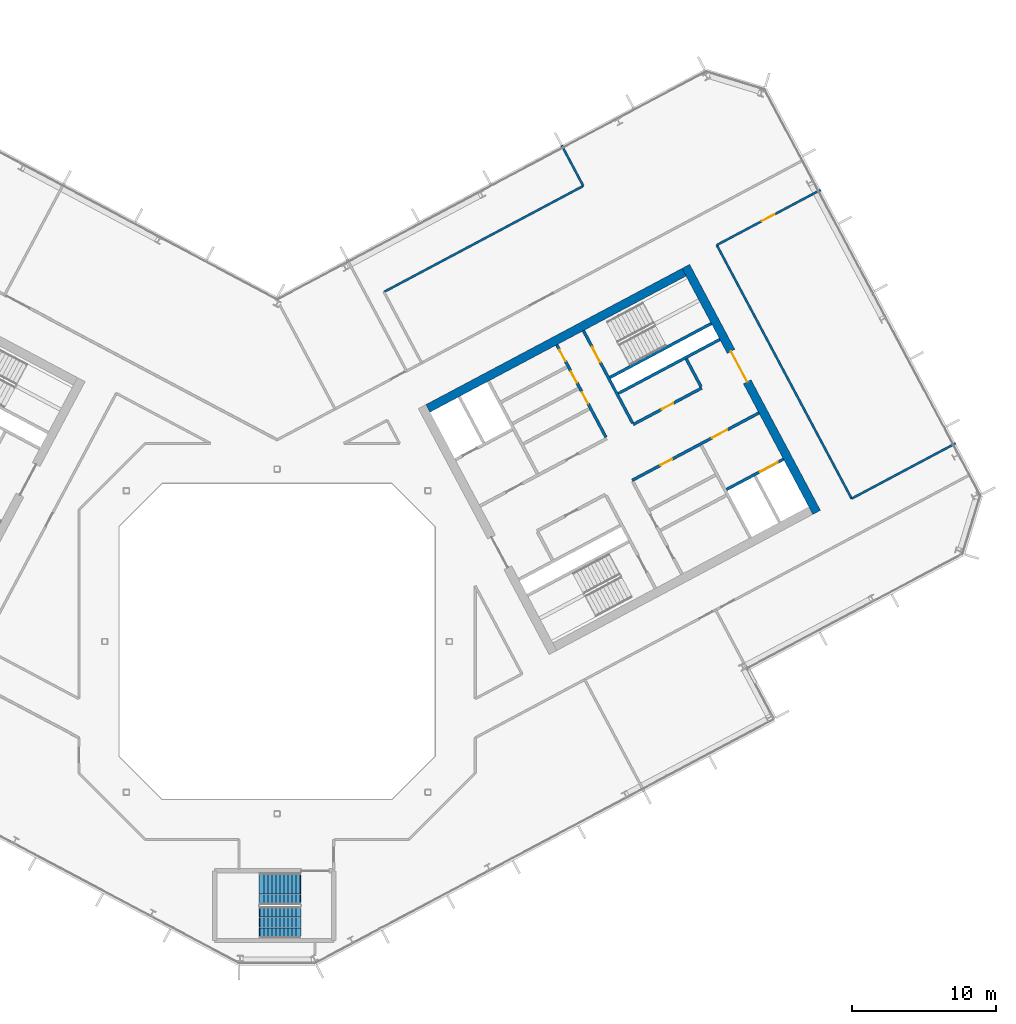
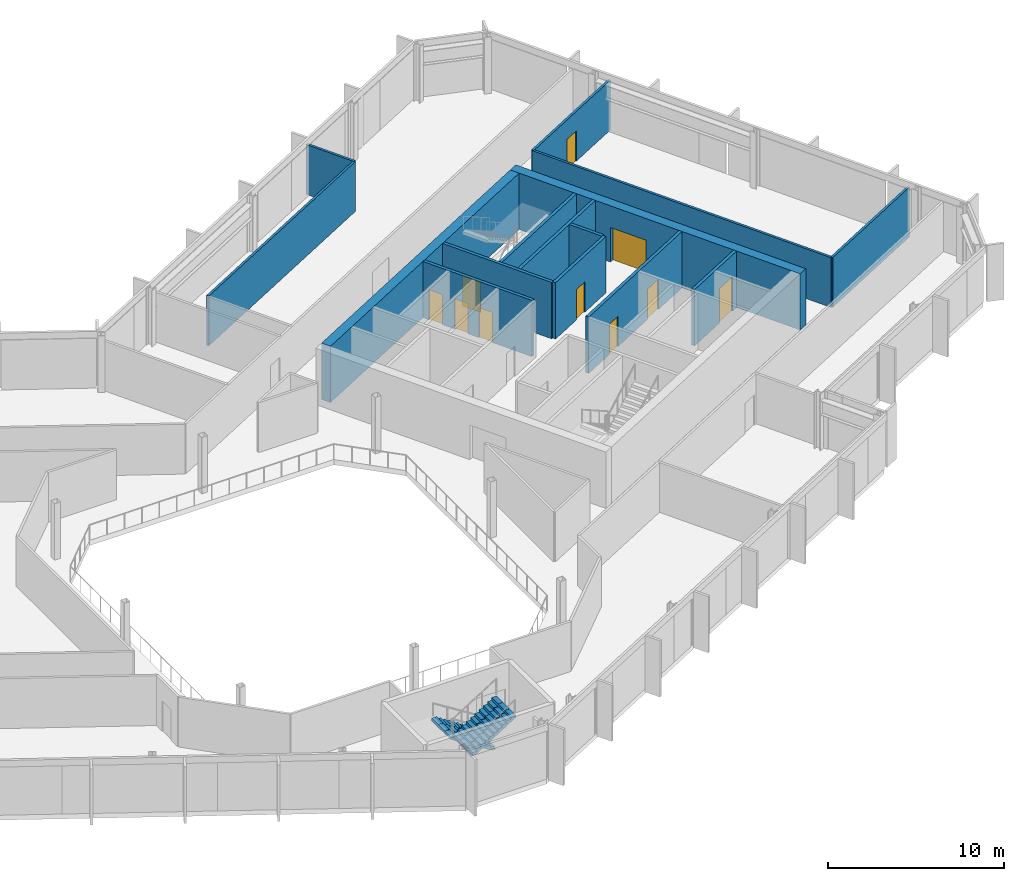
# One storey, part 16 of 26: 15 walls, 10 doors, 2 stair flights, 10 openings, 1 element without a shape of its own.
"""IFC4 building model written with IfcOpenShell, lengths in metres."""

from ifc_helpers import new_model, si_unit, direction, frame, frame_2d, origin, place, context, subcontext, project, spatial, polyline, rectangle, outline, extrude, material, layer, layer_set, type_object, element, fill, aggregate, save


model = new_model("IFC4")

# Units and contexts
model_context = context("Model", 3, precision=1e-05, world=origin(), true_north=direction((0.0, 1.0)))
body_context = subcontext(model_context, "Body", "Model", "MODEL_VIEW")
ifc_project = project(units=[si_unit("LENGTHUNIT", "METRE"), si_unit("AREAUNIT", "SQUARE_METRE"), si_unit("VOLUMEUNIT", "CUBIC_METRE"), si_unit("PLANEANGLEUNIT", "RADIAN"), si_unit("MASSUNIT", "GRAM", prefix="KILO")], contexts=[model_context])

# Site, building, storey
site_placement = place(None, origin())
site = spatial("IfcSite", under=ifc_project, at=site_placement, CompositionType="ELEMENT")
building_placement = place(site_placement, origin())
building = spatial("IfcBuilding", under=site, at=building_placement, Name="Cormorant Relay Tower", CompositionType="ELEMENT")
storey_placement = place(building_placement, frame((0.0, 0.0, 248.10009765625)))
storey = spatial("IfcBuildingStorey", under=building, at=storey_placement, Name="L55", CompositionType="ELEMENT", Elevation=248.10009765625)

# Wall, openings, doors
ifc_material_1 = material(Name="Concrete 50 MPa", Category="concrete")
ifc_layer_1 = layer(ifc_material_1, 0.199951171875)
ifc_layer_set_1 = layer_set([ifc_layer_1], Name="Core shaft wall 200")
wall_type_1 = type_object("IfcWallType", Name="Core shaft wall 200", PredefinedType="SHEAR", material=ifc_layer_set_1)
wall_1_placement = place(storey_placement, frame((22.90625, 14.218017578125, 0.0), z_axis=(0.0, 0.0, 1.0), x_axis=(-0.469480409012, 0.88294288918, 0.0)))
wall_1 = element("IfcWall", 1, at=wall_1_placement, inside=storey, type_object=wall_type_1, Name="L55 core B shaft wall", PredefinedType="SHEAR", context=body_context, shape_type="SweptSolid", body=[
    extrude(rectangle(XDim=7.300048828125, YDim=0.199951171875, at=frame_2d((3.64990234375, 0.0))), origin(), (0.0, 0.0, 1.0), 3.89990234375),
])
opening_1_placement = place(wall_1_placement, frame((2.64990234375, 0.0, 0.0)))
opening_1 = element("IfcOpeningElement", 2, at=opening_1_placement, cuts=wall_1, Name="Opening CDD-304", PredefinedType="OPENING", context=body_context, shape_type="SweptSolid", body=[
    extrude(rectangle(XDim=0.89990234375, YDim=2.10009765625, at=frame_2d((0.449951171875, 1.050048828125))), frame((0.0, 0.10986328125, 0.0), z_axis=(0.0, -1.0, 0.0), x_axis=(1.0, 0.0, 0.0)), (0.0, 0.0, 1.0), 0.219970703125),
])
opening_2_placement = place(wall_1_placement, frame((4.300048828125, 0.0, 0.0)))
opening_2 = element("IfcOpeningElement", 3, at=opening_2_placement, cuts=wall_1, Name="Opening CDD-305", PredefinedType="OPENING", context=body_context, shape_type="SweptSolid", body=[
    extrude(rectangle(XDim=0.89990234375, YDim=2.10009765625, at=frame_2d((0.449951171875, 1.050048828125))), frame((0.0, 0.10986328125, 0.0), z_axis=(0.0, -1.0, 0.0), x_axis=(1.0, 0.0, 0.0)), (0.0, 0.0, 1.0), 0.219970703125),
])
opening_3_placement = place(wall_1_placement, frame((6.0, 0.0, 0.0)))
opening_3 = element("IfcOpeningElement", 4, at=opening_3_placement, cuts=wall_1, Name="Opening CDD-306", PredefinedType="OPENING", context=body_context, shape_type="SweptSolid", body=[
    extrude(rectangle(XDim=0.89990234375, YDim=2.10009765625, at=frame_2d((0.449951171875, 1.050048828125))), frame((0.0, 0.10986328125, 0.0), z_axis=(0.0, -1.0, 0.0), x_axis=(1.0, 0.0, 0.0)), (0.0, 0.0, 1.0), 0.219970703125),
])
ifc_material_2 = material(Name="Steel fire door", Category="steel")
door_type_1 = type_object("IfcDoorType", Name="Core room door 900x2100", OperationType="SINGLE_SWING_LEFT", PredefinedType="DOOR", material=ifc_material_2)
door_1_placement = place(opening_1_placement, origin())
door_1 = element("IfcDoor", 5, at=door_1_placement, inside=storey, type_object=door_type_1, Name="Core room door 900x2100", OperationType="SINGLE_SWING_RIGHT", OverallHeight=2.10009765625, OverallWidth=0.89990234375, PredefinedType="DOOR", context=body_context, shape_type="SweptSolid", body=[
    extrude(rectangle(XDim=0.89990234375, YDim=2.10009765625, at=frame_2d((0.449951171875, 1.050048828125))), frame((0.0, 0.02490234375, 0.0), z_axis=(0.0, -1.0, 0.0), x_axis=(1.0, 0.0, 0.0)), (0.0, 0.0, 1.0), 0.050048828125),
])
fill(opening_1, door_1)
door_2_placement = place(opening_2_placement, origin())
door_2 = element("IfcDoor", 6, at=door_2_placement, inside=storey, type_object=door_type_1, Name="Core room door 900x2100", OperationType="SINGLE_SWING_LEFT", OverallHeight=2.10009765625, OverallWidth=0.89990234375, PredefinedType="DOOR", context=body_context, shape_type="SweptSolid", body=[
    extrude(rectangle(XDim=0.89990234375, YDim=2.10009765625, at=frame_2d((0.449951171875, 1.050048828125))), frame((0.0, 0.02490234375, 0.0), z_axis=(0.0, -1.0, 0.0), x_axis=(1.0, 0.0, 0.0)), (0.0, 0.0, 1.0), 0.050048828125),
])
fill(opening_2, door_2)
door_3_placement = place(opening_3_placement, origin())
door_3 = element("IfcDoor", 7, at=door_3_placement, inside=storey, type_object=door_type_1, Name="Core room door 900x2100", OperationType="SINGLE_SWING_LEFT", OverallHeight=2.10009765625, OverallWidth=0.89990234375, PredefinedType="DOOR", context=body_context, shape_type="SweptSolid", body=[
    extrude(rectangle(XDim=0.89990234375, YDim=2.10009765625, at=frame_2d((0.449951171875, 1.050048828125))), frame((0.0, 0.02490234375, 0.0), z_axis=(0.0, -1.0, 0.0), x_axis=(1.0, 0.0, 0.0)), (0.0, 0.0, 1.0), 0.050048828125),
])
fill(opening_3, door_3)

# Wall, opening, door
wall_2_placement = place(storey_placement, frame((24.760498046875, 15.2041015625, 0.0), z_axis=(0.0, 0.0, 1.0), x_axis=(-0.469494272526, 0.882935517501, 0.0)))
wall_2 = element("IfcWall", 8, at=wall_2_placement, inside=storey, type_object=wall_type_1, Name="L55 core B shaft wall", PredefinedType="SHEAR", context=body_context, shape_type="SweptSolid", body=[
    extrude(rectangle(XDim=7.2998046875, YDim=0.199951171875, at=frame_2d((3.64990234375, 0.0))), origin(), (0.0, 0.0, 1.0), 3.89990234375),
])
opening_4_placement = place(wall_2_placement, frame((4.800048828125, 0.0, 0.0)))
opening_4 = element("IfcOpeningElement", 9, at=opening_4_placement, cuts=wall_2, Name="Opening CDB-041", PredefinedType="OPENING", context=body_context, shape_type="SweptSolid", body=[
    extrude(rectangle(XDim=1.199951171875, YDim=2.10009765625, at=frame_2d((0.60009765625, 1.050048828125))), frame((0.0, 0.10986328125, 0.0), z_axis=(0.0, -1.0, 0.0), x_axis=(1.0, 0.0, 0.0)), (0.0, 0.0, 1.0), 0.219970703125),
])
ifc_material_3 = material(Name="Steel fire door", Category="steel")
door_type_2 = type_object("IfcDoorType", Name="Core stair door 1200x2100", OperationType="SINGLE_SWING_LEFT", PredefinedType="DOOR", material=ifc_material_3)
door_4_placement = place(opening_4_placement, frame((1.199951171875, 0.0, 0.0), z_axis=(0.0, 0.0, 1.0), x_axis=(-1.0, 0.0, 0.0)))
door_4 = element("IfcDoor", 10, at=door_4_placement, inside=storey, type_object=door_type_2, Name="Core stair door 1200x2100", OperationType="SINGLE_SWING_RIGHT", OverallHeight=2.10009765625, OverallWidth=1.199951171875, PredefinedType="DOOR", context=body_context, shape_type="SweptSolid", body=[
    extrude(rectangle(XDim=1.199951171875, YDim=2.10009765625, at=frame_2d((0.60009765625, 1.050048828125))), frame((0.0, 0.02490234375, 0.0), z_axis=(0.0, -1.0, 0.0), x_axis=(1.0, 0.0, 0.0)), (0.0, 0.0, 1.0), 0.050048828125),
])
fill(opening_4, door_4)

# Wall
wall_3_placement = place(storey_placement, frame((29.5283203125, 17.739013671875, 0.0), z_axis=(0.0, 0.0, 1.0), x_axis=(-0.469401318492, 0.882984938828, 0.0)))
element("IfcWall", 11, at=wall_3_placement, inside=storey, type_object=wall_type_1, Name="L55 core B shaft wall", PredefinedType="SHEAR", context=body_context, shape_type="SweptSolid", body=[
    extrude(rectangle(XDim=2.199951171875, YDim=0.199951171875, at=frame_2d((1.10009765625, 0.0))), origin(), (0.0, 0.0, 1.0), 3.89990234375),
])

# Wall, opening, door
wall_4_placement = place(storey_placement, frame((31.295654296875, 10.5810546875, 0.0), z_axis=(0.0, 0.0, 1.0), x_axis=(0.882960433586, 0.469447412093, 0.0)))
wall_4 = element("IfcWall", 12, at=wall_4_placement, inside=storey, type_object=wall_type_1, Name="L55 core B shaft wall", PredefinedType="SHEAR", context=body_context, shape_type="SweptSolid", body=[
    extrude(rectangle(XDim=4.5, YDim=0.199951171875, at=frame_2d((2.25, 0.0))), origin(), (0.0, 0.0, 1.0), 3.89990234375),
])
opening_5_placement = place(wall_4_placement, frame((2.64990234375, 0.0, 0.0)))
opening_5 = element("IfcOpeningElement", 13, at=opening_5_placement, cuts=wall_4, Name="Opening LD3-016", PredefinedType="OPENING", context=body_context, shape_type="SweptSolid", body=[
    extrude(rectangle(XDim=1.39990234375, YDim=2.39990234375, at=frame_2d((0.699951171875, 1.199951171875))), frame((0.0, 0.10986328125, 0.0), z_axis=(0.0, -1.0, 0.0), x_axis=(1.0, 0.0, 0.0)), (0.0, 0.0, 1.0), 0.219970703125),
])
ifc_material_4 = material(Name="Stainless steel 316", Category="steel")
door_type_3 = type_object("IfcDoorType", Name="Lift landing door 1400x2400", OperationType="DOUBLE_DOOR_SLIDING", PredefinedType="DOOR", material=ifc_material_4)
door_5_placement = place(opening_5_placement, origin())
door_5 = element("IfcDoor", 14, at=door_5_placement, inside=storey, type_object=door_type_3, Name="SV2 landing door", OperationType="DOUBLE_DOOR_SLIDING", OverallHeight=2.39990234375, OverallWidth=1.39990234375, PredefinedType="DOOR", context=body_context, shape_type="SweptSolid", body=[
    extrude(rectangle(XDim=1.39990234375, YDim=2.39990234375, at=frame_2d((0.699951171875, 1.199951171875))), frame((0.0, 0.02490234375, 0.0), z_axis=(0.0, -1.0, 0.0), x_axis=(1.0, 0.0, 0.0)), (0.0, 0.0, 1.0), 0.050048828125),
])
fill(opening_5, door_5)

# Wall, openings, doors
wall_5_placement = place(storey_placement, frame((24.72607421875, 11.2216796875, 0.0), z_axis=(0.0, 0.0, 1.0), x_axis=(0.882940221191, 0.469485426614, 0.0)))
wall_5 = element("IfcWall", 15, at=wall_5_placement, inside=storey, type_object=wall_type_1, Name="L55 core B shaft wall", PredefinedType="SHEAR", context=body_context, shape_type="SweptSolid", body=[
    extrude(rectangle(XDim=10.0, YDim=0.199951171875, at=frame_2d((5.0, 0.0))), origin(), (0.0, 0.0, 1.0), 3.89990234375),
])
opening_6_placement = place(wall_5_placement, frame((6.300048828125, 0.0, 0.0)))
opening_6 = element("IfcOpeningElement", 16, at=opening_6_placement, cuts=wall_5, Name="Opening CDC-038", PredefinedType="OPENING", context=body_context, shape_type="SweptSolid", body=[
    extrude(rectangle(XDim=1.199951171875, YDim=2.10009765625, at=frame_2d((0.60009765625, 1.050048828125))), frame((0.0, 0.10986328125, 0.0), z_axis=(0.0, -1.0, 0.0), x_axis=(1.0, 0.0, 0.0)), (0.0, 0.0, 1.0), 0.219970703125),
])
opening_7_placement = place(wall_5_placement, frame((2.25, 0.0, 0.0)))
opening_7 = element("IfcOpeningElement", 17, at=opening_7_placement, cuts=wall_5, Name="Opening CDD-263", PredefinedType="OPENING", context=body_context, shape_type="SweptSolid", body=[
    extrude(rectangle(XDim=0.89990234375, YDim=2.10009765625, at=frame_2d((0.449951171875, 1.050048828125))), frame((0.0, 0.10986328125, 0.0), z_axis=(0.0, -1.0, 0.0), x_axis=(1.0, 0.0, 0.0)), (0.0, 0.0, 1.0), 0.219970703125),
])
ifc_material_5 = material(Name="Steel fire door", Category="steel")
door_type_4 = type_object("IfcDoorType", Name="Core lobby door 1200x2100", OperationType="SINGLE_SWING_LEFT", PredefinedType="DOOR", material=ifc_material_5)
door_6_placement = place(opening_6_placement, origin())
door_6 = element("IfcDoor", 18, at=door_6_placement, inside=storey, type_object=door_type_4, Name="Core lobby door 1200x2100", OperationType="SINGLE_SWING_LEFT", OverallHeight=2.10009765625, OverallWidth=1.199951171875, PredefinedType="DOOR", context=body_context, shape_type="SweptSolid", body=[
    extrude(rectangle(XDim=1.199951171875, YDim=2.10009765625, at=frame_2d((0.60009765625, 1.050048828125))), frame((0.0, 0.02490234375, 0.0), z_axis=(0.0, -1.0, 0.0), x_axis=(1.0, 0.0, 0.0)), (0.0, 0.0, 1.0), 0.050048828125),
])
fill(opening_6, door_6)
door_7_placement = place(opening_7_placement, frame((0.89990234375, 0.0, 0.0), z_axis=(0.0, 0.0, 1.0), x_axis=(-1.0, 0.0, 0.0)))
door_7 = element("IfcDoor", 19, at=door_7_placement, inside=storey, type_object=door_type_1, Name="Core room door 900x2100", OperationType="SINGLE_SWING_RIGHT", OverallHeight=2.10009765625, OverallWidth=0.89990234375, PredefinedType="DOOR", context=body_context, shape_type="SweptSolid", body=[
    extrude(rectangle(XDim=0.89990234375, YDim=2.10009765625, at=frame_2d((0.449951171875, 1.050048828125))), frame((0.0, 0.02490234375, 0.0), z_axis=(0.0, -1.0, 0.0), x_axis=(1.0, 0.0, 0.0)), (0.0, 0.0, 1.0), 0.050048828125),
])
fill(opening_7, door_7)

# Wall, opening, door
wall_6_placement = place(storey_placement, frame((24.807373046875, 15.11572265625, 0.0), z_axis=(0.0, 0.0, 1.0), x_axis=(0.882942972946, 0.469480251476, 0.0)))
wall_6 = element("IfcWall", 20, at=wall_6_placement, inside=storey, type_object=wall_type_1, Name="L55 core B shaft wall", PredefinedType="SHEAR", context=body_context, shape_type="SweptSolid", body=[
    extrude(rectangle(XDim=5.39990234375, YDim=0.199951171875, at=frame_2d((2.699951171875, 0.0))), origin(), (0.0, 0.0, 1.0), 3.89990234375),
])
opening_8_placement = place(wall_6_placement, frame((2.25, 0.0, 0.0)))
opening_8 = element("IfcOpeningElement", 21, at=opening_8_placement, cuts=wall_6, Name="Opening CDD-261", PredefinedType="OPENING", context=body_context, shape_type="SweptSolid", body=[
    extrude(rectangle(XDim=0.89990234375, YDim=2.10009765625, at=frame_2d((0.449951171875, 1.050048828125))), frame((0.0, 0.10986328125, 0.0), z_axis=(0.0, -1.0, 0.0), x_axis=(1.0, 0.0, 0.0)), (0.0, 0.0, 1.0), 0.219970703125),
])
door_8_placement = place(opening_8_placement, origin())
door_8 = element("IfcDoor", 22, at=door_8_placement, inside=storey, type_object=door_type_1, Name="Core room door 900x2100", OperationType="SINGLE_SWING_LEFT", OverallHeight=2.10009765625, OverallWidth=0.89990234375, PredefinedType="DOOR", context=body_context, shape_type="SweptSolid", body=[
    extrude(rectangle(XDim=0.89990234375, YDim=2.10009765625, at=frame_2d((0.449951171875, 1.050048828125))), frame((0.0, 0.02490234375, 0.0), z_axis=(0.0, -1.0, 0.0), x_axis=(1.0, 0.0, 0.0)), (0.0, 0.0, 1.0), 0.050048828125),
])
fill(opening_8, door_8)

# Walls
wall_7_placement = place(storey_placement, frame((23.76904296875, 17.28173828125, 0.0), z_axis=(0.0, 0.0, 1.0), x_axis=(0.882940221191, 0.469485426614, 0.0)))
element("IfcWall", 23, at=wall_7_placement, inside=storey, type_object=wall_type_1, Name="L55 core B shaft wall", PredefinedType="SHEAR", context=body_context, shape_type="SweptSolid", body=[
    extrude(rectangle(XDim=8.0, YDim=0.199951171875, at=frame_2d((4.0, 0.0))), origin(), (0.0, 0.0, 1.0), 3.89990234375),
])
wall_8_placement = place(storey_placement, frame((23.18212890625, 18.385498046875, 0.0), z_axis=(0.0, 0.0, 1.0), x_axis=(0.88295287151, 0.469461634952, 0.0)))
element("IfcWall", 24, at=wall_8_placement, inside=storey, type_object=wall_type_1, Name="L55 core B shaft wall", PredefinedType="SHEAR", context=body_context, shape_type="SweptSolid", body=[
    extrude(rectangle(XDim=7.999755859375, YDim=0.199951171875, at=frame_2d((4.0, 0.0))), origin(), (0.0, 0.0, 1.0), 3.89990234375),
])

# Wall, opening, door
ifc_material_6 = material(Name="Concrete 50 MPa", Category="concrete")
ifc_layer_2 = layer(ifc_material_6, 0.60009765625)
ifc_layer_set_2 = layer_set([ifc_layer_2], Name="Core wall 600")
wall_type_2 = type_object("IfcWallType", Name="Core wall 600", PredefinedType="SHEAR", material=ifc_layer_set_2)
wall_9_placement = place(storey_placement, frame((37.576171875, 8.99365234375, 0.0), z_axis=(0.0, 0.0, 1.0), x_axis=(-0.469478769487, 0.88294376095, 0.0)))
wall_9 = element("IfcWall", 25, at=wall_9_placement, inside=storey, type_object=wall_type_2, Name="L55 core B wall", PredefinedType="SHEAR", context=body_context, shape_type="SweptSolid", body=[
    extrude(rectangle(XDim=19.400146484375, YDim=0.60009765625, at=frame_2d((9.7001953125, 0.0))), origin(), (0.0, 0.0, 1.0), 3.89990234375),
])
opening_9_placement = place(wall_9_placement, frame((10.300048828125, 0.0, 0.0)))
opening_9 = element("IfcOpeningElement", 26, at=opening_9_placement, cuts=wall_9, Name="Opening CDA-043", PredefinedType="OPENING", context=body_context, shape_type="SweptSolid", body=[
    extrude(rectangle(XDim=2.39990234375, YDim=2.39990234375, at=frame_2d((1.199951171875, 1.199951171875))), frame((0.0, 0.31005859375, 0.0), z_axis=(0.0, -1.0, 0.0), x_axis=(1.0, 0.0, 0.0)), (0.0, 0.0, 1.0), 0.6201171875),
])
ifc_material_7 = material(Name="Steel fire door", Category="steel")
door_type_5 = type_object("IfcDoorType", Name="Core lobby door 2400x2400", OperationType="DOUBLE_DOOR_SINGLE_SWING", PredefinedType="DOOR", material=ifc_material_7)
door_9_placement = place(opening_9_placement, origin())
door_9 = element("IfcDoor", 27, at=door_9_placement, inside=storey, type_object=door_type_5, Name="Core lobby door 2400x2400", OperationType="DOUBLE_DOOR_SINGLE_SWING", OverallHeight=2.39990234375, OverallWidth=2.39990234375, PredefinedType="DOOR", context=body_context, shape_type="SweptSolid", body=[
    extrude(rectangle(XDim=2.39990234375, YDim=2.39990234375, at=frame_2d((1.199951171875, 1.199951171875))), frame((0.0, 0.02490234375, 0.0), z_axis=(0.0, -1.0, 0.0), x_axis=(1.0, 0.0, 0.0)), (0.0, 0.0, 1.0), 0.050048828125),
])
fill(opening_9, door_9)

# Wall
wall_10_placement = place(storey_placement, frame((10.5087890625, 16.23388671875, 0.0), z_axis=(0.0, 0.0, 1.0), x_axis=(0.88295010195, 0.469466843842, 0.0)))
element("IfcWall", 28, at=wall_10_placement, inside=storey, type_object=wall_type_2, Name="L55 core B wall", PredefinedType="SHEAR", context=body_context, shape_type="SweptSolid", body=[
    extrude(rectangle(XDim=20.199951171875, YDim=0.60009765625, at=frame_2d((10.10009765625, 0.0))), origin(), (0.0, 0.0, 1.0), 3.89990234375),
])

# Wall, opening, door
ifc_material_8 = material(Name="Gypsum board fire partition")
ifc_layer_3 = layer(ifc_material_8, 0.14990234375)
ifc_layer_set_3 = layer_set([ifc_layer_3], Name="Corridor partition 150 EI 60")
wall_type_3 = type_object("IfcWallType", Name="Corridor partition 150 EI 60", PredefinedType="PARTITIONING", material=ifc_layer_set_3)
wall_11_placement = place(storey_placement, frame((37.864013671875, 31.4580078125, 0.0), z_axis=(0.0, 0.0, 1.0), x_axis=(-0.882947223068, -0.469472258261, 0.0)))
wall_11 = element("IfcWall", 29, at=wall_11_placement, inside=storey, type_object=wall_type_3, Name="wall/L55/part/037", PredefinedType="PARTITIONING", context=body_context, shape_type="SweptSolid", body=[
    extrude(rectangle(XDim=8.200927734375, YDim=0.14990234375, at=frame_2d((4.1005859375, 0.0))), origin(), (0.0, 0.0, 1.0), 3.449951171875),
])
opening_10_placement = place(wall_11_placement, frame((3.64990234375, 0.0, 0.0)))
opening_10 = element("IfcOpeningElement", 30, at=opening_10_placement, cuts=wall_11, Name="Opening DS-186", PredefinedType="OPENING", context=body_context, shape_type="SweptSolid", body=[
    extrude(rectangle(XDim=1.0, YDim=2.10009765625, at=frame_2d((0.5, 1.050048828125))), frame((0.0, 0.0849609375, 0.0), z_axis=(0.0, -1.0, 0.0), x_axis=(1.0, 0.0, 0.0)), (0.0, 0.0, 1.0), 0.169921875),
])
ifc_material_9 = material(Name="Timber door leaf", Category="wood")
door_type_6 = type_object("IfcDoorType", Name="Suite door 1000x2100", OperationType="SINGLE_SWING_LEFT", PredefinedType="DOOR", material=ifc_material_9)
door_10_placement = place(opening_10_placement, origin())
door_10 = element("IfcDoor", 31, at=door_10_placement, inside=storey, type_object=door_type_6, Name="door/L55/017", OperationType="SINGLE_SWING_RIGHT", OverallHeight=2.10009765625, OverallWidth=1.0, PredefinedType="DOOR", context=body_context, shape_type="SweptSolid", body=[
    extrude(rectangle(XDim=1.0, YDim=2.10009765625, at=frame_2d((0.5, 1.050048828125))), frame((0.0, 0.02490234375, 0.0), z_axis=(0.0, -1.0, 0.0), x_axis=(1.0, 0.0, 0.0)), (0.0, 0.0, 1.0), 0.050048828125),
])
fill(opening_10, door_10)

# Walls
wall_12_placement = place(storey_placement, frame((30.623046875, 27.60791015625, 0.0), z_axis=(0.0, 0.0, 1.0), x_axis=(0.469489882812, -0.882937851685, 0.0)))
element("IfcWall", 32, at=wall_12_placement, inside=storey, type_object=wall_type_3, Name="wall/L55/part/038", PredefinedType="PARTITIONING", context=body_context, shape_type="SweptSolid", body=[
    extrude(rectangle(XDim=20.000244140625, YDim=0.14990234375, at=frame_2d((10.0, 0.0))), origin(), (0.0, 0.0, 1.0), 3.449951171875),
])
wall_13_placement = place(storey_placement, frame((40.012939453125, 9.948974609375, 0.0), z_axis=(0.0, 0.0, 1.0), x_axis=(0.882920973231, 0.4695216236, 0.0)))
element("IfcWall", 33, at=wall_13_placement, inside=storey, type_object=wall_type_3, Name="wall/L55/part/039", PredefinedType="PARTITIONING", context=body_context, shape_type="SweptSolid", body=[
    extrude(rectangle(XDim=8.199951171875, YDim=0.14990234375, at=frame_2d((4.10009765625, 0.0))), origin(), (0.0, 0.0, 1.0), 3.449951171875),
])
ifc_material_10 = material(Name="Gypsum board partition")
ifc_layer_4 = layer(ifc_material_10, 0.14990234375)
ifc_layer_set_4 = layer_set([ifc_layer_4], Name="Tenant partition 150")
wall_type_4 = type_object("IfcWallType", Name="Tenant partition 150", PredefinedType="PARTITIONING", material=ifc_layer_set_4)
wall_14_placement = place(storey_placement, frame((7.443115234375, 24.343017578125, 0.0), z_axis=(0.0, 0.0, 1.0), x_axis=(0.882933890587, 0.469497332104, 0.0)))
element("IfcWall", 34, at=wall_14_placement, inside=storey, type_object=wall_type_4, Name="wall/L55/part/034", PredefinedType="PARTITIONING", context=body_context, shape_type="SweptSolid", body=[
    extrude(rectangle(XDim=15.72119140625, YDim=0.14990234375, at=frame_2d((7.860595703125, 0.0))), origin(), (0.0, 0.0, 1.0), 3.449951171875),
])
wall_15_placement = place(storey_placement, frame((21.323974609375, 31.72412109375, 0.0), z_axis=(0.0, 0.0, 1.0), x_axis=(-0.469320691295, 0.883027796121, 0.0)))
element("IfcWall", 35, at=wall_15_placement, inside=storey, type_object=wall_type_4, Name="wall/L55/part/035", PredefinedType="PARTITIONING", context=body_context, shape_type="SweptSolid", body=[
    extrude(rectangle(XDim=3.2001953125, YDim=0.14990234375, at=frame_2d((1.60009765625, 0.0))), origin(), (0.0, 0.0, 1.0), 3.449951171875),
])

# Stair, stair flights
ifc_material_11 = material(Name="Concrete 40 MPa", Category="concrete")
stair_type = type_object("IfcStairType", Name="Remote exit stair 2200", PredefinedType="HALF_TURN_STAIR", material=ifc_material_11)
stair_placement = place(storey_placement, origin())
stair = element("IfcStair", 36, at=stair_placement, inside=storey, type_object=stair_type, Name="L55 Stair", PredefinedType="HALF_TURN_STAIR")
ifc_material_12 = material(Name="Concrete 40 MPa", Category="concrete")
stair_flight_type = type_object("IfcStairFlightType", Name="Remote exit stair flight 2200", PredefinedType="STRAIGHT", material=ifc_material_12)
stair_flight_1_placement = place(storey_placement, frame((1.60009765625, -17.22509765625, 0.0), z_axis=(0.0, 0.0, 1.0), x_axis=(-1.0, 0.0, 0.0)))
stair_flight_1 = element("IfcStairFlight", 37, at=stair_flight_1_placement, type_object=stair_flight_type, Name="RK1 flight 1", NumberOfRisers=11, NumberOfTreads=10, PredefinedType="STRAIGHT", RiserHeight=0.177272727, TreadLength=0.28, context=body_context, shape_type="SweptSolid", body=[
    extrude(outline(polyline([(-0.050048828125, -0.080078125), (-0.050048828125, 0.0), (0.0, 0.0), (0.0, 0.17724609375), (0.280029296875, 0.17724609375), (0.280029296875, 0.3544921875), (0.56005859375, 0.3544921875), (0.56005859375, 0.53173828125), (0.840087890625, 0.53173828125), (0.840087890625, 0.708984375), (1.1201171875, 0.708984375), (1.1201171875, 0.886474609375), (1.39990234375, 0.886474609375), (1.39990234375, 1.063720703125), (1.679931640625, 1.063720703125), (1.679931640625, 1.240966796875), (1.9599609375, 1.240966796875), (1.9599609375, 1.418212890625), (2.239990234375, 1.418212890625), (2.239990234375, 1.595458984375), (2.52001953125, 1.595458984375), (2.52001953125, 1.772705078125), (2.800048828125, 1.772705078125), (2.85009765625, 1.772705078125), (2.85009765625, 1.59521484375), (2.800048828125, 1.59521484375), (0.2802734375, 0.0), (-0.050048828125, -0.080078125)])), frame((0.0, 1.10009765625, 0.0), z_axis=(0.0, -1.0, 0.0), x_axis=(1.0, 0.0, 0.0)), (0.0, 0.0, 1.0), 0.719970703125),
    extrude(outline(polyline([(-0.050048828125, -0.080078125), (-0.050048828125, 0.0), (0.0, 0.0), (0.0, 0.17724609375), (0.280029296875, 0.17724609375), (0.280029296875, 0.3544921875), (0.56005859375, 0.3544921875), (0.56005859375, 0.53173828125), (0.840087890625, 0.53173828125), (0.840087890625, 0.708984375), (1.1201171875, 0.708984375), (1.1201171875, 0.886474609375), (1.39990234375, 0.886474609375), (1.39990234375, 1.063720703125), (1.679931640625, 1.063720703125), (1.679931640625, 1.240966796875), (1.9599609375, 1.240966796875), (1.9599609375, 1.418212890625), (2.239990234375, 1.418212890625), (2.239990234375, 1.595458984375), (2.52001953125, 1.595458984375), (2.52001953125, 1.772705078125), (2.800048828125, 1.772705078125), (2.85009765625, 1.772705078125), (2.85009765625, 1.59521484375), (2.800048828125, 1.59521484375), (0.2802734375, 0.0), (-0.050048828125, -0.080078125)])), frame((0.0, 0.360107421875, 0.0), z_axis=(0.0, -1.0, 0.0), x_axis=(1.0, 0.0, 0.0)), (0.0, 0.0, 1.0), 0.719970703125),
    extrude(outline(polyline([(-0.050048828125, -0.080078125), (-0.050048828125, 0.0), (0.0, 0.0), (0.0, 0.17724609375), (0.280029296875, 0.17724609375), (0.280029296875, 0.3544921875), (0.56005859375, 0.3544921875), (0.56005859375, 0.53173828125), (0.840087890625, 0.53173828125), (0.840087890625, 0.708984375), (1.1201171875, 0.708984375), (1.1201171875, 0.886474609375), (1.39990234375, 0.886474609375), (1.39990234375, 1.063720703125), (1.679931640625, 1.063720703125), (1.679931640625, 1.240966796875), (1.9599609375, 1.240966796875), (1.9599609375, 1.418212890625), (2.239990234375, 1.418212890625), (2.239990234375, 1.595458984375), (2.52001953125, 1.595458984375), (2.52001953125, 1.772705078125), (2.800048828125, 1.772705078125), (2.85009765625, 1.772705078125), (2.85009765625, 1.59521484375), (2.800048828125, 1.59521484375), (0.2802734375, 0.0), (-0.050048828125, -0.080078125)])), frame((0.0, -0.3798828125, 0.0), z_axis=(0.0, -1.0, 0.0), x_axis=(1.0, 0.0, 0.0)), (0.0, 0.0, 1.0), 0.719970703125),
])
stair_flight_2_placement = place(storey_placement, frame((-1.199951171875, -19.574951171875, 1.949951171875), z_axis=(0.0, 0.0, 1.0), x_axis=(1.0, 0.0, 0.0)))
stair_flight_2 = element("IfcStairFlight", 38, at=stair_flight_2_placement, type_object=stair_flight_type, Name="RK1 flight 2", NumberOfRisers=11, NumberOfTreads=10, PredefinedType="STRAIGHT", RiserHeight=0.177272727, TreadLength=0.28, context=body_context, shape_type="SweptSolid", body=[
    extrude(outline(polyline([(-0.050048828125, -0.080078125), (-0.050048828125, 0.0), (0.0, 0.0), (0.0, 0.17724609375), (0.280029296875, 0.17724609375), (0.280029296875, 0.3544921875), (0.56005859375, 0.3544921875), (0.56005859375, 0.53173828125), (0.840087890625, 0.53173828125), (0.840087890625, 0.708984375), (1.1201171875, 0.708984375), (1.1201171875, 0.886474609375), (1.39990234375, 0.886474609375), (1.39990234375, 1.063720703125), (1.679931640625, 1.063720703125), (1.679931640625, 1.240966796875), (1.9599609375, 1.240966796875), (1.9599609375, 1.418212890625), (2.239990234375, 1.418212890625), (2.239990234375, 1.595458984375), (2.52001953125, 1.595458984375), (2.52001953125, 1.772705078125), (2.800048828125, 1.772705078125), (2.85009765625, 1.772705078125), (2.85009765625, 1.59521484375), (2.800048828125, 1.59521484375), (0.2802734375, 0.0), (-0.050048828125, -0.080078125)])), frame((0.0, 1.10009765625, 0.0), z_axis=(0.0, -1.0, 0.0), x_axis=(1.0, 0.0, 0.0)), (0.0, 0.0, 1.0), 0.719970703125),
    extrude(outline(polyline([(-0.050048828125, -0.080078125), (-0.050048828125, 0.0), (0.0, 0.0), (0.0, 0.17724609375), (0.280029296875, 0.17724609375), (0.280029296875, 0.3544921875), (0.56005859375, 0.3544921875), (0.56005859375, 0.53173828125), (0.840087890625, 0.53173828125), (0.840087890625, 0.708984375), (1.1201171875, 0.708984375), (1.1201171875, 0.886474609375), (1.39990234375, 0.886474609375), (1.39990234375, 1.063720703125), (1.679931640625, 1.063720703125), (1.679931640625, 1.240966796875), (1.9599609375, 1.240966796875), (1.9599609375, 1.418212890625), (2.239990234375, 1.418212890625), (2.239990234375, 1.595458984375), (2.52001953125, 1.595458984375), (2.52001953125, 1.772705078125), (2.800048828125, 1.772705078125), (2.85009765625, 1.772705078125), (2.85009765625, 1.59521484375), (2.800048828125, 1.59521484375), (0.2802734375, 0.0), (-0.050048828125, -0.080078125)])), frame((0.0, 0.360107421875, 0.0), z_axis=(0.0, -1.0, 0.0), x_axis=(1.0, 0.0, 0.0)), (0.0, 0.0, 1.0), 0.719970703125),
    extrude(outline(polyline([(-0.050048828125, -0.080078125), (-0.050048828125, 0.0), (0.0, 0.0), (0.0, 0.17724609375), (0.280029296875, 0.17724609375), (0.280029296875, 0.3544921875), (0.56005859375, 0.3544921875), (0.56005859375, 0.53173828125), (0.840087890625, 0.53173828125), (0.840087890625, 0.708984375), (1.1201171875, 0.708984375), (1.1201171875, 0.886474609375), (1.39990234375, 0.886474609375), (1.39990234375, 1.063720703125), (1.679931640625, 1.063720703125), (1.679931640625, 1.240966796875), (1.9599609375, 1.240966796875), (1.9599609375, 1.418212890625), (2.239990234375, 1.418212890625), (2.239990234375, 1.595458984375), (2.52001953125, 1.595458984375), (2.52001953125, 1.772705078125), (2.800048828125, 1.772705078125), (2.85009765625, 1.772705078125), (2.85009765625, 1.59521484375), (2.800048828125, 1.59521484375), (0.2802734375, 0.0), (-0.050048828125, -0.080078125)])), frame((0.0, -0.3798828125, 0.0), z_axis=(0.0, -1.0, 0.0), x_axis=(1.0, 0.0, 0.0)), (0.0, 0.0, 1.0), 0.719970703125),
])
aggregate(stair, [stair_flight_1, stair_flight_2])

save(model, "model.ifc")
